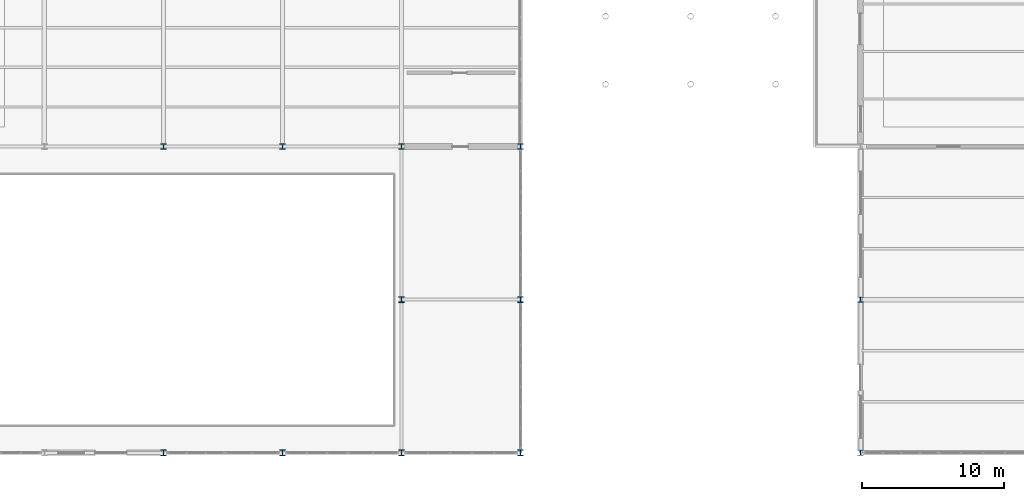
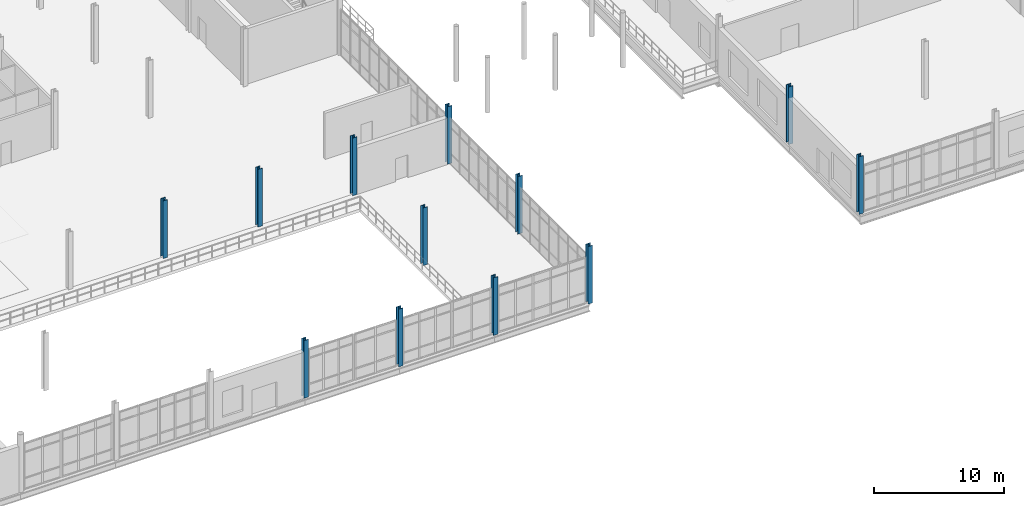
# One storey, part 4 of 111: 12 columns.
"""IFC4 building model written with IfcOpenShell, lengths in metres."""

from ifc_helpers import new_model, si_unit, direction, frame, origin, origin_2d, place, context, subcontext, project, spatial, i_section, extrude, material, material_profile, profile_set, type_object, element, save


model = new_model("IFC4")

# Units and contexts
model_context = context("Model", 3, precision=1e-05, world=origin(), true_north=direction((0.0, 1.0)))
body_context = subcontext(model_context, "Body", "Model", "MODEL_VIEW")
ifc_project = project(units=[si_unit("LENGTHUNIT", "METRE"), si_unit("AREAUNIT", "SQUARE_METRE"), si_unit("VOLUMEUNIT", "CUBIC_METRE"), si_unit("PLANEANGLEUNIT", "RADIAN"), si_unit("MASSUNIT", "GRAM", prefix="KILO"), si_unit("THERMODYNAMICTEMPERATUREUNIT", "KELVIN"), si_unit("POWERUNIT", "WATT")], contexts=[model_context])

# Site, building, storey
site_placement = place(None, origin())
site = spatial("IfcSite", under=ifc_project, at=site_placement, CompositionType="ELEMENT")
building_placement = place(site_placement, origin())
building = spatial("IfcBuilding", under=site, at=building_placement, Name="Tembeka Court Mobility Hub", CompositionType="ELEMENT")
storey_placement = place(building_placement, origin())
storey = spatial("IfcBuildingStorey", under=building, at=storey_placement, Name="L00", CompositionType="ELEMENT", Elevation=0.0)

# Columns
ifc_material = material(Name="Steel S355", Category="steel")
ifc_material_profile_1 = material_profile(ifc_material, i_section(OverallWidth=0.39892578125, OverallDepth=0.39404296875, WebThickness=0.022705078125, FlangeThickness=0.03662109375, FilletRadius=0.01513671875, at=origin_2d()), Name="UKC 356x406x287")
ifc_profile_set_1 = profile_set([ifc_material_profile_1], Name="Steel S355")
column_type_1 = type_object("IfcColumnType", Name="COL-C01", PredefinedType="COLUMN", material=ifc_profile_set_1)
for number, where, z_axis, x_axis, name in (
    (1, (67.199951171875, 0.0, 0.0), (0.0, 0.0, 1.0), (1.0, 0.0, 0.0), "Column C01 (L00-093)"),
    (2, (67.199951171875, 21.60009765625, 0.0), (0.0, 0.0, 1.0), (1.0, 0.0, 0.0), "Column C01 (L00-094)"),
    (3, (75.60009765625, 0.0, 0.0), (0.0, 0.0, 1.0), (1.0, 0.0, 0.0), "Column C01 (L00-103)"),
    (4, (75.60009765625, 21.60009765625, 0.0), (0.0, 0.0, 1.0), (1.0, 0.0, 0.0), "Column C01 (L00-104)"),
    (5, (84.0, 0.0, 0.0), (0.0, 0.0, 1.0), (1.0, 0.0, 0.0), "Column C01 (L00-113)"),
    (6, (84.0, 10.800048828125, 0.0), (0.0, 0.0, 1.0), (1.0, 0.0, 0.0), "Column C01 (L00-114)"),
    (7, (84.0, 21.60009765625, 0.0), (0.0, 0.0, 1.0), (1.0, 0.0, 0.0), "Column C01 (L00-115)"),
    (8, (92.39990234375, 0.0, 0.0), (0.0, 0.0, 1.0), (1.0, 0.0, 0.0), "Column C01 (L00-125)"),
    (9, (92.39990234375, 10.800048828125, 0.0), (0.0, 0.0, 1.0), (1.0, 0.0, 0.0), "Column C01 (L00-126)"),
    (10, (92.39990234375, 21.60009765625, 0.0), (0.0, 0.0, 1.0), (1.0, 0.0, 0.0), "Column C01 (L00-127)"),
):
    element("IfcColumn", number, at=place(storey_placement, frame(where, z_axis=z_axis, x_axis=x_axis)), inside=storey, type_object=column_type_1, Name=name, PredefinedType="COLUMN", context=body_context, shape_type="SweptSolid", body=[
        extrude(i_section(OverallWidth=0.39892578125, OverallDepth=0.39404296875, WebThickness=0.022705078125, FlangeThickness=0.03662109375, FilletRadius=0.01513671875, at=origin_2d()), origin(), (0.0, 0.0, 1.0), 5.39990234375),
    ])
ifc_material_profile_2 = material_profile(ifc_material, i_section(OverallWidth=0.39501953125, OverallDepth=0.381103515625, WebThickness=0.018310546875, FlangeThickness=0.0302734375, FilletRadius=0.01513671875, at=origin_2d()), Name="UKC 356x406x235")
ifc_profile_set_2 = profile_set([ifc_material_profile_2], Name="Steel S355")
column_type_2 = type_object("IfcColumnType", Name="COL-C02", PredefinedType="COLUMN", material=ifc_profile_set_2)
for number, where, z_axis, x_axis, name in (
    (11, (116.39990234375, 0.0, 0.0), (0.0, 0.0, 1.0), (1.0, 0.0, 0.0), "Column C02 (L00-156)"),
    (12, (116.39990234375, 10.800048828125, 0.0), (0.0, 0.0, 1.0), (1.0, 0.0, 0.0), "Column C02 (L00-157)"),
):
    element("IfcColumn", number, at=place(storey_placement, frame(where, z_axis=z_axis, x_axis=x_axis)), inside=storey, type_object=column_type_2, Name=name, PredefinedType="COLUMN", context=body_context, shape_type="SweptSolid", body=[
        extrude(i_section(OverallWidth=0.39501953125, OverallDepth=0.381103515625, WebThickness=0.018310546875, FlangeThickness=0.0302734375, FilletRadius=0.01513671875, at=origin_2d()), origin(), (0.0, 0.0, 1.0), 5.39990234375),
    ])

save(model, "model.ifc")
